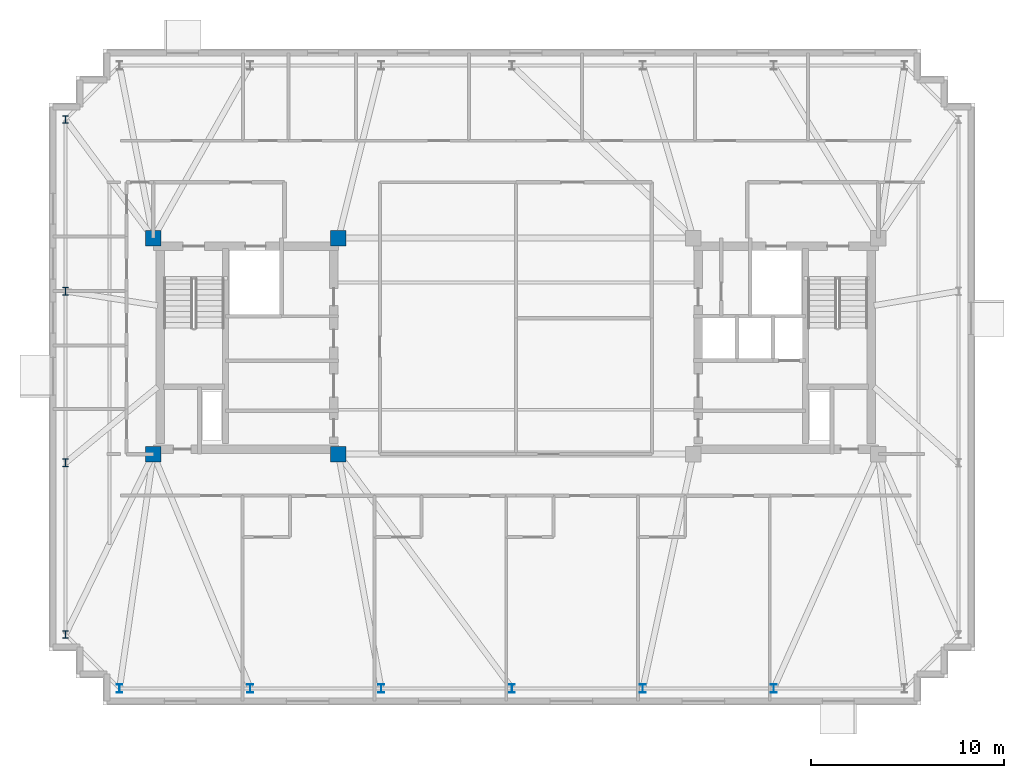
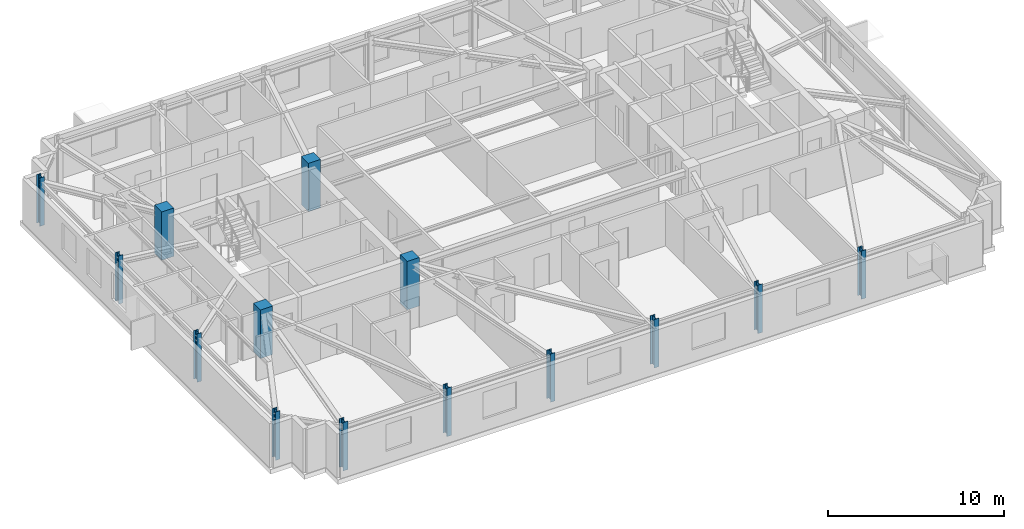
# One storey, part 1 of 11: 14 columns.
"""IFC4 building model written with IfcOpenShell, lengths in metres."""

from ifc_helpers import new_model, si_unit, direction, frame, origin, origin_2d, place, context, subcontext, project, spatial, rectangle, i_section, extrude, material, material_profile, profile_set, type_object, element, save


model = new_model("IFC4")

# Units and contexts
model_context = context("Model", 3, precision=1e-05, world=origin(), true_north=direction((0.0, 1.0)))
body_context = subcontext(model_context, "Body", "Model", "MODEL_VIEW")
ifc_project = project(units=[si_unit("LENGTHUNIT", "METRE"), si_unit("AREAUNIT", "SQUARE_METRE"), si_unit("VOLUMEUNIT", "CUBIC_METRE"), si_unit("PLANEANGLEUNIT", "RADIAN"), si_unit("MASSUNIT", "GRAM", prefix="KILO")], contexts=[model_context])

# Site, building, storey
site_placement = place(None, origin())
site = spatial("IfcSite", under=ifc_project, at=site_placement, CompositionType="ELEMENT")
building_placement = place(site_placement, origin())
building = spatial("IfcBuilding", under=site, at=building_placement, Name="Qobustan Lattice House", CompositionType="ELEMENT")
storey_placement = place(building_placement, frame((0.0, 0.0, 245.050048828125)))
storey = spatial("IfcBuildingStorey", under=building, at=storey_placement, Name="L69", CompositionType="ELEMENT", Elevation=245.050048828125)

# Columns
ifc_material_1 = material(Name="Concrete C50/60", Category="concrete")
ifc_material_profile_1 = material_profile(ifc_material_1, rectangle(XDim=0.800048828125, YDim=0.800048828125, at=origin_2d()), Name="RC800x800")
ifc_profile_set_1 = profile_set([ifc_material_profile_1], Name="Concrete C50/60")
column_type_1 = type_object("IfcColumnType", Name="COL-RC-800", PredefinedType="COLUMN", material=ifc_profile_set_1)
for number, where, z_axis, x_axis, name in (
    (1, (-18.800048828125, -5.60009765625, 0.0), (0.0, 0.0, 1.0), (1.0, 0.0, 0.0), "L69 core mega-column CW-SW"),
    (2, (-18.800048828125, 5.60009765625, 0.0), (0.0, 0.0, 1.0), (1.0, 0.0, 0.0), "L69 core mega-column CW-NW"),
    (3, (-9.199951171875, -5.60009765625, 0.0), (0.0, 0.0, 1.0), (1.0, 0.0, 0.0), "L69 core mega-column CW-SE"),
    (4, (-9.199951171875, 5.60009765625, 0.0), (0.0, 0.0, 1.0), (1.0, 0.0, 0.0), "L69 core mega-column CW-NE"),
):
    element("IfcColumn", number, at=place(storey_placement, frame(where, z_axis=z_axis, x_axis=x_axis)), inside=storey, type_object=column_type_1, Name=name, PredefinedType="COLUMN", context=body_context, shape_type="SweptSolid", body=[
        extrude(rectangle(XDim=0.800048828125, YDim=0.800048828125, at=origin_2d()), origin(), (0.0, 0.0, 1.0), 3.349853515625),
    ])
ifc_material_2 = material(Name="Steel S355", Category="steel")
ifc_material_profile_2 = material_profile(ifc_material_2, i_section(OverallWidth=0.300048828125, OverallDepth=0.39990234375, WebThickness=0.013427734375, FlangeThickness=0.02392578125, FilletRadius=0.027099609375, at=origin_2d()), Name="HEB400")
ifc_profile_set_2 = profile_set([ifc_material_profile_2], Name="Steel S355")
column_type_2 = type_object("IfcColumnType", Name="COL-ST-HEB400", PredefinedType="COLUMN", material=ifc_profile_set_2)
for number, where, z_axis, x_axis, name in (
    (5, (-23.35009765625, 11.75, 0.0), (0.0, 0.0, 1.0), (1.0, 0.0, 0.0), "L69 B5 perimeter column W1"),
    (6, (-23.35009765625, 2.85009765625, 0.0), (0.0, 0.0, 1.0), (1.0, 0.0, 0.0), "L69 B5 perimeter column W2"),
    (7, (-23.35009765625, -6.050048828125, 0.0), (0.0, 0.0, 1.0), (1.0, 0.0, 0.0), "L69 B5 perimeter column W3"),
    (8, (-23.35009765625, -14.949951171875, 0.0), (0.0, 0.0, 1.0), (1.0, 0.0, 0.0), "L69 B5 perimeter column W4"),
):
    element("IfcColumn", number, at=place(storey_placement, frame(where, z_axis=z_axis, x_axis=x_axis)), inside=storey, type_object=column_type_2, Name=name, PredefinedType="COLUMN", context=body_context, shape_type="SweptSolid", body=[
        extrude(i_section(OverallWidth=0.300048828125, OverallDepth=0.39990234375, WebThickness=0.013427734375, FlangeThickness=0.02392578125, FilletRadius=0.027099609375, at=origin_2d()), origin(), (0.0, 0.0, 1.0), 3.349853515625),
    ])
ifc_material_3 = material(Name="Steel S355", Category="steel")
ifc_material_profile_3 = material_profile(ifc_material_3, i_section(OverallWidth=0.300048828125, OverallDepth=0.449951171875, WebThickness=0.013916015625, FlangeThickness=0.02587890625, FilletRadius=0.027099609375, at=origin_2d()), Name="HEB450")
ifc_profile_set_3 = profile_set([ifc_material_profile_3], Name="Steel S355")
column_type_3 = type_object("IfcColumnType", Name="COL-ST-HEB450", PredefinedType="COLUMN", material=ifc_profile_set_3)
for number, where, z_axis, x_axis, name in (
    (9, (-20.550048828125, -17.75, 0.0), (0.0, 0.0, 1.0), (1.0, 0.0, 0.0), "L69 B5 perimeter column S1"),
    (10, (-13.7666015625, -17.75, 0.0), (0.0, 0.0, 1.0), (1.0, 0.0, 0.0), "L69 B5 perimeter column S2"),
    (11, (-6.9833984375, -17.75, 0.0), (0.0, 0.0, 1.0), (1.0, 0.0, 0.0), "L69 B5 perimeter column S3"),
    (12, (-0.199951171875, -17.75, 0.0), (0.0, 0.0, 1.0), (1.0, 0.0, 0.0), "L69 B5 perimeter column S4"),
    (13, (6.583251953125, -17.75, 0.0), (0.0, 0.0, 1.0), (1.0, 0.0, 0.0), "L69 B5 perimeter column S5"),
    (14, (13.36669921875, -17.75, 0.0), (0.0, 0.0, 1.0), (1.0, 0.0, 0.0), "L69 B5 perimeter column S6"),
):
    element("IfcColumn", number, at=place(storey_placement, frame(where, z_axis=z_axis, x_axis=x_axis)), inside=storey, type_object=column_type_3, Name=name, PredefinedType="COLUMN", context=body_context, shape_type="SweptSolid", body=[
        extrude(i_section(OverallWidth=0.300048828125, OverallDepth=0.449951171875, WebThickness=0.013916015625, FlangeThickness=0.02587890625, FilletRadius=0.027099609375, at=origin_2d()), origin(), (0.0, 0.0, 1.0), 3.349853515625),
    ])

save(model, "model.ifc")
